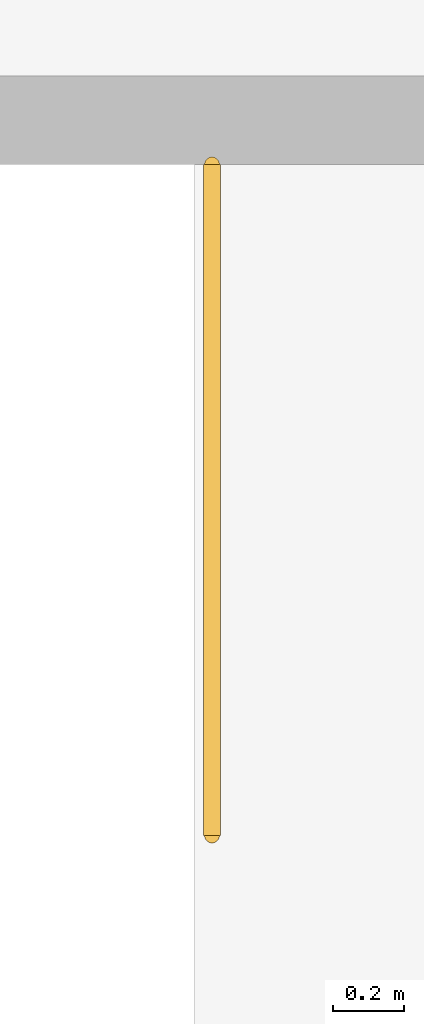
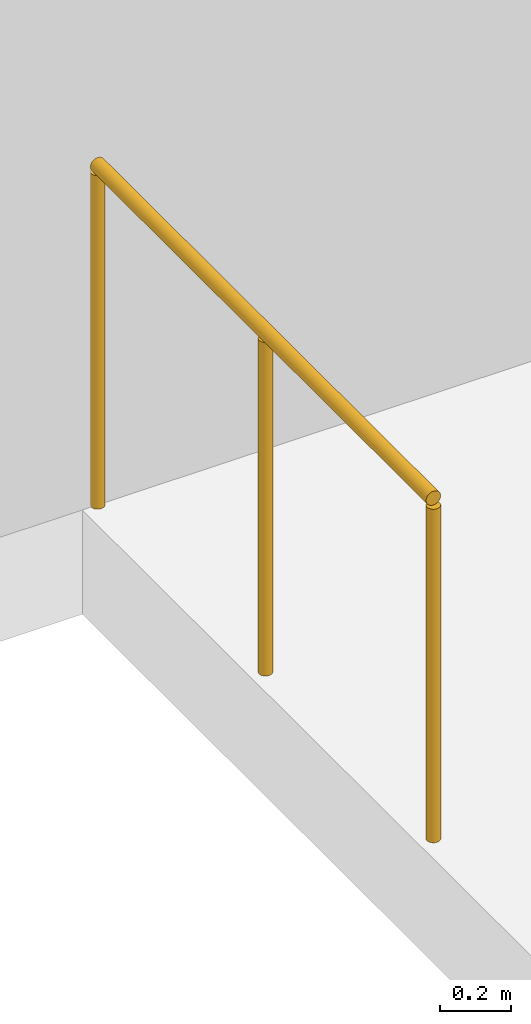
# One storey, part 57 of 61: 1 railing.
"""IFC4 building model written with IfcOpenShell, lengths in metres."""

from ifc_helpers import new_model, si_unit, direction, frame, origin, origin_2d, place, context, subcontext, project, spatial, circle, extrude, material, type_object, element, save


model = new_model("IFC4")

# Units and contexts
model_context = context("Model", 3, precision=1e-05, world=origin(), true_north=direction((0.0, 1.0)))
body_context = subcontext(model_context, "Body", "Model", "MODEL_VIEW")
ifc_project = project(units=[si_unit("LENGTHUNIT", "METRE"), si_unit("AREAUNIT", "SQUARE_METRE"), si_unit("VOLUMEUNIT", "CUBIC_METRE"), si_unit("PLANEANGLEUNIT", "RADIAN"), si_unit("MASSUNIT", "GRAM", prefix="KILO")], contexts=[model_context])

# Site, building, storey
site_placement = place(None, origin())
site = spatial("IfcSite", under=ifc_project, at=site_placement, CompositionType="ELEMENT")
building_placement = place(site_placement, origin())
building = spatial("IfcBuilding", under=site, at=building_placement, Name="Bozkorgan Art Gallery", CompositionType="ELEMENT")
storey_placement = place(building_placement, frame((0.0, 0.0, 10.199951171875)))
storey = spatial("IfcBuildingStorey", under=building, at=storey_placement, Name="L02", CompositionType="ELEMENT", Elevation=10.199951171875)

# Railing
ifc_material = material(Name="Steel S355J2", Category="steel")
railing_type = type_object("IfcRailingType", Name="RAIL-GRD-115", PredefinedType="GUARDRAIL", material=ifc_material)
railing_placement = place(storey_placement, frame((91.14990234375, 6.449951171875, 0.0)))
element("IfcRailing", 1, at=railing_placement, inside=storey, type_object=railing_type, Name="L02 ST6 top well guard 1", PredefinedType="GUARDRAIL", context=body_context, shape_type="SweptSolid", body=[
    extrude(circle(Radius=0.02392578125, at=origin_2d()), frame((0.0, 0.0, 1.17578125), z_axis=(0.0, -1.0, 0.0), x_axis=(1.0, 0.0, 0.0)), (0.0, 0.0, 1.0), 1.89990234375),
    extrude(circle(Radius=0.02099609375, at=origin_2d()), origin(), (0.0, 0.0, 1.0), 1.15185546875),
    extrude(circle(Radius=0.02099609375, at=origin_2d()), frame((0.0, -0.949951171875, 0.0)), (0.0, 0.0, 1.0), 1.15185546875),
    extrude(circle(Radius=0.02099609375, at=origin_2d()), frame((0.0, -1.89990234375, 0.0)), (0.0, 0.0, 1.0), 1.15185546875),
])

save(model, "model.ifc")
